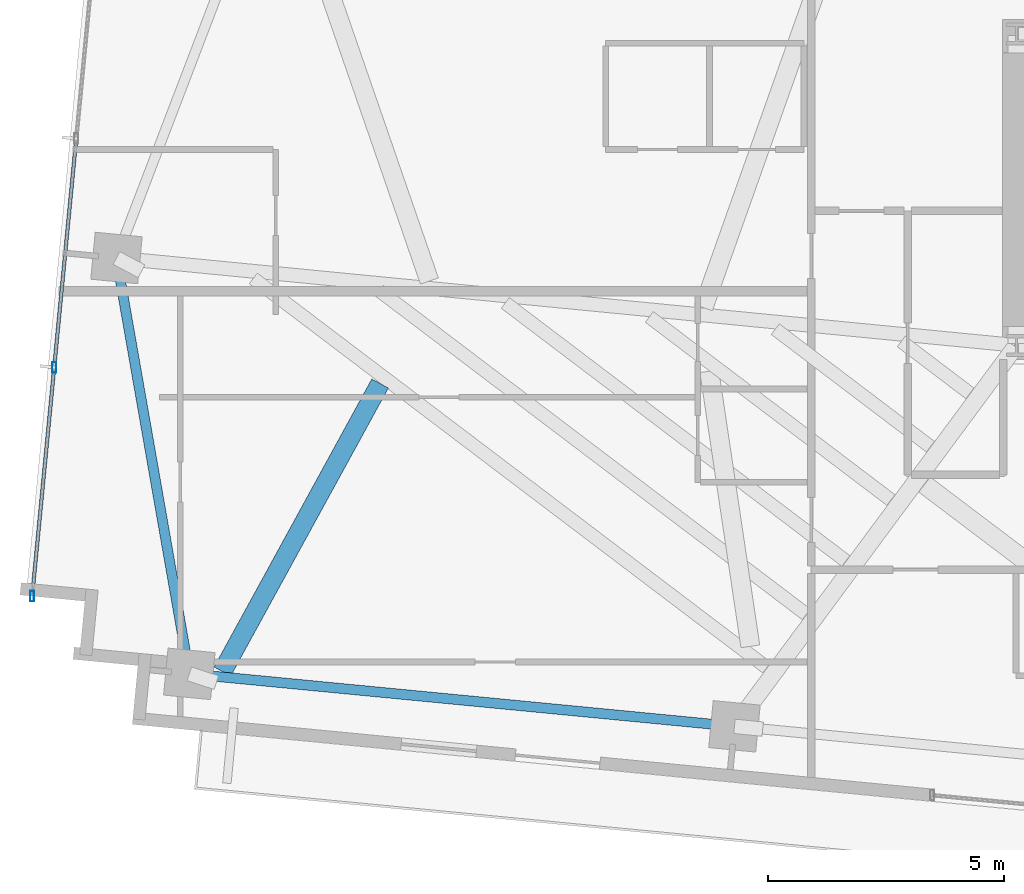
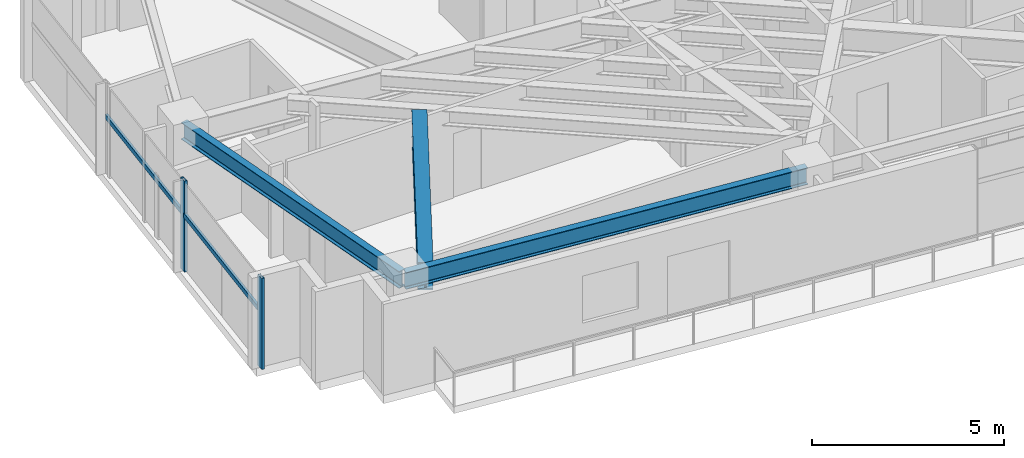
# One storey, part 2 of 20: 4 members, 3 beams, 1 element without a shape of its own.
"""IFC4 building model written with IfcOpenShell, lengths in metres."""

import ifcopenshell
import ifcopenshell.guid

model = None  # the IFC model being written
_history = None  # IfcOwnerHistory: only IFC2X3 demands one
_inside = {}  # id of a spatial element -> (the spatial element, [elements in it])
_under = {}  # id of a project, library or spatial element -> (it, [spatial elements below it])
_declared = {}  # id of a project -> (the project, [libraries it declares])
_typed = {}  # id of a type object -> (the type object, [elements of that type])
_made_of = {}  # id of a material, layer set ... -> (it, [elements and type objects made of it])


def new_model(schema):
    """Start an empty IFC model of exactly this schema.

    Asked for "IFC4X3", IfcOpenShell would pick the latest addendum, in which some entities
    have other attributes; the version numbers below select the first issue.
    IFC2X3 requires an IfcOwnerHistory on every rooted entity: one is made here for all.
    """
    global model, _history
    if schema == "IFC4X3":
        model = ifcopenshell.file(schema_version=(4, 3, 0, 0))
    else:
        model = ifcopenshell.file(schema=schema)
    _inside.clear()
    _under.clear()
    _declared.clear()
    _typed.clear()
    _made_of.clear()
    _history = None
    if model.schema == "IFC2X3":
        org = make("IfcOrganization", Name="unknown")
        user = make(
            "IfcPersonAndOrganization",
            ThePerson=make("IfcPerson", FamilyName="unknown"),
            TheOrganization=org,
        )
        app = make(
            "IfcApplication",
            ApplicationDeveloper=org,
            Version="unknown",
            ApplicationFullName="unknown",
            ApplicationIdentifier="unknown",
        )
        _history = make(
            "IfcOwnerHistory",
            OwningUser=user,
            OwningApplication=app,
            ChangeAction="ADDED",
            CreationDate=0,
        )
    return model


def make(cls, **values):
    """One entity of the class cls with the attributes given. An attribute that is None is left unset."""
    return model.create_entity(
        cls, **{name: value for name, value in values.items() if value is not None}
    )


def rooted(cls, **values):
    """An entity with a GlobalId (a new one), such as an element, a storey or a relation."""
    return make(cls, GlobalId=ifcopenshell.guid.new(), OwnerHistory=_history, **values)


def si_unit(unit_type, name, prefix=None):
    """IfcSIUnit, for example si_unit("LENGTHUNIT", "METRE", prefix="MILLI")."""
    return make("IfcSIUnit", UnitType=unit_type, Prefix=prefix, Name=name)


def assignment(units):
    """IfcUnitAssignment: the units of a project."""
    return None if units is None else make("IfcUnitAssignment", Units=units)


def point(xyz):
    """IfcCartesianPoint."""
    return None if xyz is None else make("IfcCartesianPoint", Coordinates=xyz)


def direction(xyz):
    """IfcDirection."""
    return None if xyz is None else make("IfcDirection", DirectionRatios=xyz)


def frame(location, z_axis=None, x_axis=None):
    """IfcAxis2Placement3D, a coordinate frame: its origin and axes. An axis left out is left unset."""
    return make(
        "IfcAxis2Placement3D",
        Location=point(location),
        Axis=direction(z_axis),
        RefDirection=direction(x_axis),
    )


def frame_2d(location, x_axis=None):
    """IfcAxis2Placement2D, a coordinate frame in the plane: its origin and x axis."""
    return make(
        "IfcAxis2Placement2D", Location=point(location), RefDirection=direction(x_axis)
    )


def origin():
    """The frame at (0, 0, 0) with its axes left unset."""
    return frame((0.0, 0.0, 0.0))


def origin_2d():
    """The frame at (0, 0) in the plane with its x axis left unset."""
    return frame_2d((0.0, 0.0))


def place(relative_to, where):
    """IfcLocalPlacement: puts the frame where relative to a parent placement (None: the world)."""
    return make(
        "IfcLocalPlacement", PlacementRelTo=relative_to, RelativePlacement=where
    )


def context(
    kind, dimensions, precision=None, world=None, true_north=None, identifier=None
):
    """IfcGeometricRepresentationContext, for example the 3D "Model" context."""
    return make(
        "IfcGeometricRepresentationContext",
        ContextIdentifier=identifier,
        ContextType=kind,
        CoordinateSpaceDimension=dimensions,
        Precision=precision,
        WorldCoordinateSystem=world,
        TrueNorth=true_north,
    )


def subcontext(parent, identifier, kind, view, scale=None):
    """IfcGeometricRepresentationSubContext, for example "Body" below "Model"."""
    return make(
        "IfcGeometricRepresentationSubContext",
        ContextIdentifier=identifier,
        ContextType=kind,
        ParentContext=parent,
        TargetScale=scale,
        TargetView=view,
    )


def project(units=None, contexts=None):
    """IfcProject with its units and contexts."""
    return rooted(
        "IfcProject",
        Name="project",
        RepresentationContexts=contexts,
        UnitsInContext=assignment(units),
    )


def spatial(cls, under=None, at=None, **own):
    """A site, building, storey or space (cls), placed at a placement, below another one or the project."""
    s = rooted(cls, ObjectPlacement=at, **own)
    if under is not None:
        _under.setdefault(under.id(), (under, []))[1].append(s)
    return s


def profile(cls, at=None, kind="AREA", **sizes):
    """A parametric profile (cls). Its sizes go by their IFC names, for example OverallWidth=200.0."""
    return make(cls, ProfileType=kind, Position=at, **sizes)


def hollow_rectangle(**sizes):
    """IfcRectangleHollowProfileDef."""
    return profile("IfcRectangleHollowProfileDef", **sizes)


def i_section(**sizes):
    """IfcIShapeProfileDef."""
    return profile("IfcIShapeProfileDef", **sizes)


def extrude(swept, where, along, depth):
    """IfcExtrudedAreaSolid: the profile swept, set in the frame where, extruded along a direction by depth."""
    return make(
        "IfcExtrudedAreaSolid",
        SweptArea=swept,
        Position=where,
        ExtrudedDirection=direction(along),
        Depth=depth,
    )


def shape(context_of_items, identifier, shape_type, items):
    """IfcShapeRepresentation: the items that make up one representation, for example the "Body"."""
    return make(
        "IfcShapeRepresentation",
        ContextOfItems=context_of_items,
        RepresentationIdentifier=identifier,
        RepresentationType=shape_type,
        Items=items,
    )


def source(mapping_origin, context_of_items, identifier, shape_type, items):
    """IfcRepresentationMap: a shape defined once, which mapped items show again and again."""
    return make(
        "IfcRepresentationMap",
        MappingOrigin=mapping_origin,
        MappedRepresentation=shape(context_of_items, identifier, shape_type, items),
    )


def transform(
    local_origin,
    x_axis=None,
    y_axis=None,
    z_axis=None,
    scale=None,
    scale2=None,
    scale3=None,
    uniform=True,
):
    """IfcCartesianTransformationOperator3D, or its non-uniform kind. x_axis, y_axis, z_axis: its Axis1, 2, 3."""
    if uniform:
        return make(
            "IfcCartesianTransformationOperator3D",
            Axis1=direction(x_axis),
            Axis2=direction(y_axis),
            LocalOrigin=point(local_origin),
            Scale=scale,
            Axis3=direction(z_axis),
        )
    return make(
        "IfcCartesianTransformationOperator3DnonUniform",
        Axis1=direction(x_axis),
        Axis2=direction(y_axis),
        LocalOrigin=point(local_origin),
        Scale=scale,
        Axis3=direction(z_axis),
        Scale2=scale2,
        Scale3=scale3,
    )


def mapped(mapping_source, mapping_target):
    """IfcMappedItem: shows the shape of a source again, moved by a transform."""
    return make(
        "IfcMappedItem", MappingSource=mapping_source, MappingTarget=mapping_target
    )


def material(Name=None, Category=None):
    """IfcMaterial."""
    return make("IfcMaterial", Name=Name, Category=Category)


def material_profile(
    of_material, cross_section, Name=None, Category=None, Priority=None
):
    """IfcMaterialProfile: a cross section and its material."""
    return make(
        "IfcMaterialProfile",
        Name=Name,
        Material=of_material,
        Profile=cross_section,
        Priority=Priority,
        Category=Category,
    )


def profile_set(profiles, Name=None, composite=None):
    """IfcMaterialProfileSet."""
    return make(
        "IfcMaterialProfileSet",
        Name=Name,
        MaterialProfiles=profiles,
        CompositeProfile=composite,
    )


def made_of(thing, what):
    """Note that an element or type object is made of a material, layer set ...; save() writes the relation."""
    if what is not None:
        _made_of.setdefault(what.id(), (what, []))[1].append(thing)
    return thing


def type_object(cls, material=None, **own):
    """A type object (cls), such as IfcWallType, which elements share."""
    return made_of(rooted(cls, **own), material)


def type_shapes(of_type, sources):
    """Give a type object the sources (RepresentationMaps) that its elements show as mapped items."""
    of_type.RepresentationMaps = sources


def element(
    cls,
    number,
    at=None,
    inside=None,
    cuts=None,
    type_object=None,
    material=None,
    context=None,
    identifier="Body",
    shape_type=None,
    held_by="IfcProductDefinitionShape",
    body=None,
    shapes=None,
    **own,
):
    """One element of the class cls, such as IfcWall. Its Tag is "e" and its number.

    at: its placement. inside: the storey or other place that contains it. cuts: it is an
    opening in that element (IfcRelVoidsElement). A single representation is given by context,
    identifier, shape_type and body (its items); several are given by shapes. held_by: the class
    of the entity that holds the representations. save() writes the other relations.
    """
    e = rooted(cls, Tag="e%d" % number, ObjectPlacement=at, **own)
    if body is not None:
        shapes = [shape(context, identifier, shape_type, body)]
    if shapes is not None:
        e.Representation = make(held_by, Representations=shapes)
    if inside is not None:
        _inside.setdefault(inside.id(), (inside, []))[1].append(e)
    if cuts is not None:
        rooted(
            "IfcRelVoidsElement", RelatingBuildingElement=cuts, RelatedOpeningElement=e
        )
    if type_object is not None:
        _typed.setdefault(type_object.id(), (type_object, []))[1].append(e)
    return made_of(e, material)


def aggregate(whole, parts):
    """IfcRelAggregates: a whole, such as a stair, and the parts it consists of."""
    return rooted("IfcRelAggregates", RelatingObject=whole, RelatedObjects=parts)


def save(model, path):
    """Write the relations noted so far, then the file.

    IfcRelAggregates (storeys below a building ...), IfcRelContainedInSpatialStructure (elements
    in a storey), IfcRelDefinesByType, IfcRelAssociatesMaterial and IfcRelDeclares: one each for
    every whole, place, type object, material and project.
    """
    for whole, parts in _under.values():
        aggregate(whole, parts)
    for where, things in _inside.values():
        rooted(
            "IfcRelContainedInSpatialStructure",
            RelatedElements=things,
            RelatingStructure=where,
        )
    for kind, things in _typed.values():
        rooted("IfcRelDefinesByType", RelatedObjects=things, RelatingType=kind)
    for what, things in _made_of.values():
        rooted("IfcRelAssociatesMaterial", RelatedObjects=things, RelatingMaterial=what)
    for by, libraries in _declared.values():
        rooted("IfcRelDeclares", RelatingContext=by, RelatedDefinitions=libraries)
    model.write(path)


model = new_model("IFC4")

# Units and contexts
model_context = context("Model", 3, precision=1e-05, world=origin(), true_north=direction((0.0, 1.0)))
body_context = subcontext(model_context, "Body", "Model", "MODEL_VIEW")
ifc_project = project(units=[si_unit("LENGTHUNIT", "METRE"), si_unit("AREAUNIT", "SQUARE_METRE"), si_unit("VOLUMEUNIT", "CUBIC_METRE"), si_unit("PLANEANGLEUNIT", "RADIAN"), si_unit("MASSUNIT", "GRAM", prefix="KILO")], contexts=[model_context])

# Site, building, storey
site_placement = place(None, origin())
site = spatial("IfcSite", under=ifc_project, at=site_placement, CompositionType="ELEMENT")
building_placement = place(site_placement, origin())
building = spatial("IfcBuilding", under=site, at=building_placement, Name="Astriad Promenade Condominiums", CompositionType="ELEMENT")
storey_placement = place(building_placement, frame((0.0, 0.0, 159.800048828125)))
storey = spatial("IfcBuildingStorey", under=building, at=storey_placement, Name="L46", CompositionType="ELEMENT", Elevation=159.800048828125)

# Beams
ifc_material_1 = material(Name="Steel ASTM A992 Grade 50", Category="steel")
ifc_material_profile_1 = material_profile(ifc_material_1, i_section(OverallWidth=0.210693359375, OverallDepth=0.53955078125, WebThickness=0.01171875, FlangeThickness=0.018798828125, FilletRadius=0.0166015625, at=origin_2d()), Name="W21X73")
ifc_profile_set_1 = profile_set([ifc_material_profile_1], Name="Steel ASTM A992 Grade 50")
beam_type_1 = type_object("IfcBeamType", Name="STEEL SPANDREL BEAM W21X73", PredefinedType="SPANDREL", material=ifc_profile_set_1)
shared_shape_1 = source(origin(), body_context, "Body", "SweptSolid", [
    extrude(i_section(OverallWidth=0.210693359375, OverallDepth=0.53955078125, WebThickness=0.01171875, FlangeThickness=0.018798828125, FilletRadius=0.0166015625, at=origin_2d()), origin(), (0.0, 0.0, 1.0), 11.52001953125),
])
beam_1_placement = place(storey_placement, frame((8.92041015625, 10.439453125, 2.63037109375), z_axis=(0.9953953902, -0.095854145285, 0.0), x_axis=(0.095854145285, 0.9953953902, 0.0)))
element("IfcBeam", 1, at=beam_1_placement, inside=storey, type_object=beam_type_1, Name="Perimeter Spandrel Beam SP-S1-L46", PredefinedType="SPANDREL", context=body_context, shape_type="MappedRepresentation", body=[
    mapped(shared_shape_1, transform((0.0, 0.0, 0.0), scale=1.0)),
])
shared_shape_2 = source(origin(), body_context, "Body", "SweptSolid", [
    extrude(i_section(OverallWidth=0.210693359375, OverallDepth=0.53955078125, WebThickness=0.01171875, FlangeThickness=0.018798828125, FilletRadius=0.0166015625, at=origin_2d()), origin(), (0.0, 0.0, 1.0), 8.862548828125),
])
type_shapes(beam_type_1, [shared_shape_1, shared_shape_2])
beam_2_placement = place(storey_placement, frame((7.3447265625, 19.21240234375, 2.63037109375), z_axis=(0.172528005434, -0.985004612853, 0.0), x_axis=(0.985004612853, 0.172528005434, 0.0)))
element("IfcBeam", 2, at=beam_2_placement, inside=storey, type_object=beam_type_1, Name="Perimeter Spandrel Beam SP-W1-L46", PredefinedType="SPANDREL", context=body_context, shape_type="MappedRepresentation", body=[
    mapped(shared_shape_2, transform((0.0, 0.0, 0.0), scale=1.0)),
])
ifc_material_profile_2 = material_profile(ifc_material_1, i_section(OverallWidth=0.4013671875, OverallDepth=0.877197265625, WebThickness=0.022216796875, FlangeThickness=0.039794921875, FilletRadius=0.02294921875, at=origin_2d()), Name="W33X263")
ifc_profile_set_2 = profile_set([ifc_material_profile_2], Name="Steel ASTM A992 Grade 50")
beam_type_2 = type_object("IfcBeamType", Name="STEEL TRANSFER CARRIER GIRDER W33X263", PredefinedType="BEAM", material=ifc_profile_set_2)
shared_shape_3 = source(origin(), body_context, "Body", "SweptSolid", [
    extrude(i_section(OverallWidth=0.4013671875, OverallDepth=0.877197265625, WebThickness=0.022216796875, FlangeThickness=0.039794921875, FilletRadius=0.02294921875, at=origin_2d()), origin(), (0.0, 0.0, 1.0), 6.95703125),
])
type_shapes(beam_type_2, [shared_shape_3])
beam_3_placement = place(storey_placement, frame((12.92138671875, 16.59326171875, 2.46142578125), z_axis=(-0.480213702212, -0.877151526367, 0.0), x_axis=(0.877151526367, -0.480213702212, 0.0)))
element("IfcBeam", 3, at=beam_3_placement, inside=storey, type_object=beam_type_2, Name="Transfer Splice Carrier TRM-SP-PC01-L46", PredefinedType="BEAM", context=body_context, shape_type="MappedRepresentation", body=[
    mapped(shared_shape_3, transform((0.0, 0.0, 0.0), scale=1.0)),
])

# Curtain wall, members
ifc_material_2 = material(Name="Anodised aluminium Black Dark Glass Unitised", Category="aluminium")
curtain_wall_type = type_object("IfcCurtainWallType", Name="CW-B34-DARK", PredefinedType="USERDEFINED", material=ifc_material_2)
curtain_wall_placement = place(storey_placement, origin())
curtain_wall = element("IfcCurtainWall", 4, at=curtain_wall_placement, inside=storey, type_object=curtain_wall_type, Name="CW-L46-W", ObjectType="UNITISED_CURTAIN_WALL", PredefinedType="USERDEFINED")
ifc_material_3 = material(Name="Anodised aluminium 6063-T6 Black", Category="aluminium")
ifc_material_profile_3 = material_profile(ifc_material_3, hollow_rectangle(XDim=0.074951171875, YDim=0.14990234375, WallThickness=0.004150390625, at=origin_2d()), Name="ALU-TRN-75X150")
ifc_profile_set_3 = profile_set([ifc_material_profile_3], Name="Anodised aluminium 6063-T6 Black")
member_type_1 = type_object("IfcMemberType", Name="TRN-ALU-TRN-75X150", PredefinedType="USERDEFINED", material=ifc_profile_set_3)
shared_shape_4 = source(origin(), body_context, "Body", "SweptSolid", [
    extrude(hollow_rectangle(XDim=0.074951171875, YDim=0.14990234375, WallThickness=0.004150390625, at=origin_2d()), origin(), (0.0, 0.0, 1.0), 4.86669921875),
])
type_shapes(member_type_1, [shared_shape_4])
member_1_placement = place(storey_placement, frame((5.552978515625, 12.08984375, 1.7978515625), z_axis=(0.095867260207, 0.995394127178, 0.0), x_axis=(-0.995394127178, 0.095867260207, 0.0)))
member_1 = element("IfcMember", 5, at=member_1_placement, type_object=member_type_1, Name="CW-L46-W-TRN-00-0", ObjectType="TRANSOM", PredefinedType="USERDEFINED", context=body_context, shape_type="MappedRepresentation", body=[
    mapped(shared_shape_4, transform((0.0, 0.0, 0.0), scale=1.0)),
])
member_2_placement = place(storey_placement, frame((6.01953125, 16.93408203125, 1.7978515625), z_axis=(0.095867260207, 0.995394127178, 0.0), x_axis=(-0.995394127178, 0.095867260207, 0.0)))
member_2 = element("IfcMember", 6, at=member_2_placement, type_object=member_type_1, Name="CW-L46-W-TRN-01-0", ObjectType="TRANSOM", PredefinedType="USERDEFINED", context=body_context, shape_type="MappedRepresentation", body=[
    mapped(shared_shape_4, transform((0.0, 0.0, 0.0), scale=1.0)),
])
ifc_material_profile_4 = material_profile(ifc_material_3, hollow_rectangle(XDim=0.0849609375, YDim=0.219970703125, WallThickness=0.0048828125, at=origin_2d()), Name="ALU-MUL-85X220")
ifc_profile_set_4 = profile_set([ifc_material_profile_4], Name="Anodised aluminium 6063-T6 Black")
member_type_2 = type_object("IfcMemberType", Name="MUL-ALU-MUL-85X220", PredefinedType="MULLION", material=ifc_profile_set_4)
shared_shape_5 = source(origin(), body_context, "Body", "SweptSolid", [
    extrude(hollow_rectangle(XDim=0.0849609375, YDim=0.219970703125, WallThickness=0.0048828125, at=origin_2d()), origin(), (0.0, 0.0, 1.0), 2.89990234375),
])
type_shapes(member_type_2, [shared_shape_5])
member_3_placement = place(storey_placement, frame((5.552978515625, 12.08984375, 0.0), z_axis=(0.0, 0.0, 1.0), x_axis=(1.0, 0.0, 0.0)))
member_3 = element("IfcMember", 7, at=member_3_placement, type_object=member_type_2, Name="CW-L46-W-MUL-00", PredefinedType="MULLION", context=body_context, shape_type="MappedRepresentation", body=[
    mapped(shared_shape_5, transform((0.0, 0.0, 0.0), scale=1.0)),
])
member_4_placement = place(storey_placement, frame((6.01953125, 16.93408203125, 0.0), z_axis=(0.0, 0.0, 1.0), x_axis=(1.0, 0.0, 0.0)))
member_4 = element("IfcMember", 8, at=member_4_placement, type_object=member_type_2, Name="CW-L46-W-MUL-01", PredefinedType="MULLION", context=body_context, shape_type="MappedRepresentation", body=[
    mapped(shared_shape_5, transform((0.0, 0.0, 0.0), scale=1.0)),
])
aggregate(curtain_wall, [member_3, member_4, member_1, member_2])

save(model, "model.ifc")
